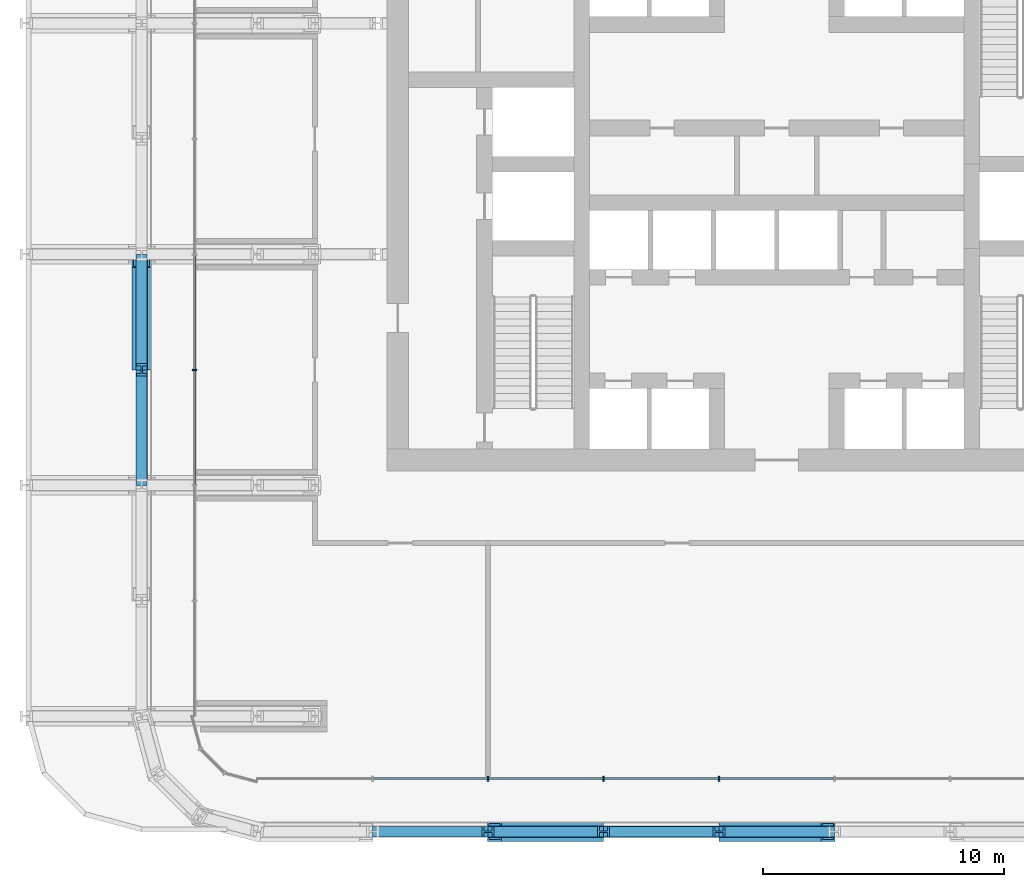
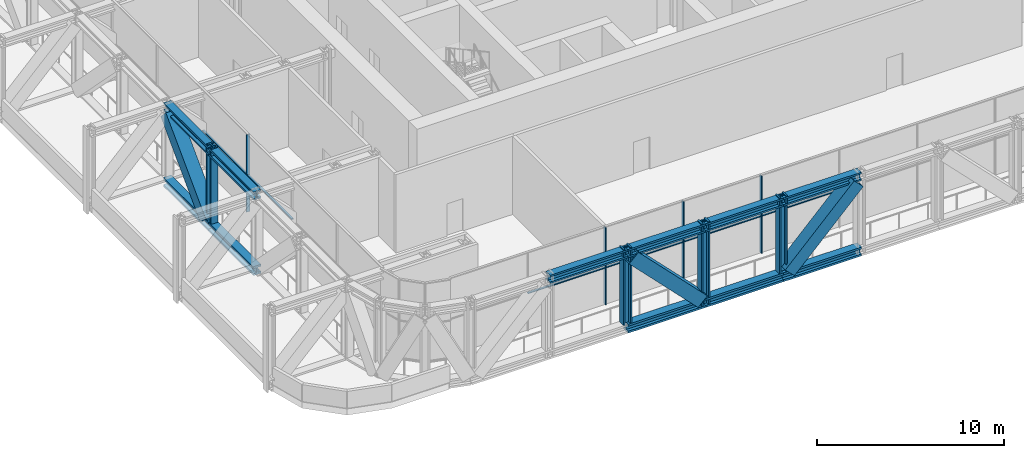
# One storey, part 2 of 30: 28 members, 2 elements without a shape of their own.
"""IFC4 building model written with IfcOpenShell, lengths in metres."""

from ifc_helpers import new_model, si_unit, direction, frame, origin, origin_2d, place, context, subcontext, project, spatial, rectangle, hollow_rectangle, i_section, extrude, material, layer, layer_set, material_profile, profile_set, type_object, element, aggregate, save


model = new_model("IFC4")

# Units and contexts
model_context = context("Model", 3, precision=1e-05, world=origin(), true_north=direction((0.0, 1.0)))
body_context = subcontext(model_context, "Body", "Model", "MODEL_VIEW")
ifc_project = project(units=[si_unit("LENGTHUNIT", "METRE"), si_unit("AREAUNIT", "SQUARE_METRE"), si_unit("VOLUMEUNIT", "CUBIC_METRE"), si_unit("PLANEANGLEUNIT", "RADIAN"), si_unit("MASSUNIT", "GRAM", prefix="KILO")], contexts=[model_context])

# Site, building, storey
site_placement = place(None, origin())
site = spatial("IfcSite", under=ifc_project, at=site_placement, CompositionType="ELEMENT")
building_placement = place(site_placement, origin())
building = spatial("IfcBuilding", under=site, at=building_placement, Name="Madar Terraces", CompositionType="ELEMENT")
storey_placement = place(building_placement, frame((0.0, 0.0, 53.89990234375)))
storey = spatial("IfcBuildingStorey", under=building, at=storey_placement, Name="L13", CompositionType="ELEMENT", Elevation=53.89990234375)

# Members
ifc_material_1 = material(Name="Steel ASTM A913 Grade 65", Category="steel")
ifc_material_profile_1 = material_profile(ifc_material_1, i_section(OverallWidth=0.472412109375, OverallDepth=0.5791015625, WebThickness=0.094970703125, FlangeThickness=0.130126953125, at=origin_2d()), Name="W14x808")
ifc_profile_set_1 = profile_set([ifc_material_profile_1], Name="Steel ASTM A913 Grade 65")
member_type_1 = type_object("IfcMemberType", Name="BC2 W14x808", PredefinedType="CHORD", material=ifc_profile_set_1)
for number, where, z_axis, x_axis, name in (
    (1, (19.199951171875, 0.0, -0.13037109375), (1.0, 0.0, 0.0), (0.0, 1.0, 0.0), "Exoskeleton truss ring bottom chord BC2"),
    (2, (24.0, 0.0, -0.13037109375), (1.0, 0.0, 0.0), (0.0, 1.0, 0.0), "Exoskeleton truss ring bottom chord BC2"),
    (3, (28.800048828125, 0.0, -0.13037109375), (1.0, 0.0, 0.0), (0.0, 1.0, 0.0), "Exoskeleton truss ring bottom chord BC2"),
    (4, (4.800048828125, 24.0, -0.13037109375), (0.0, -1.0, 0.0), (1.0, 0.0, 0.0), "Exoskeleton truss ring bottom chord BC2"),
    (5, (4.800048828125, 19.199951171875, -0.13037109375), (0.0, -1.0, 0.0), (1.0, 0.0, 0.0), "Exoskeleton truss ring bottom chord BC2"),
):
    element("IfcMember", number, at=place(storey_placement, frame(where, z_axis=z_axis, x_axis=x_axis)), inside=storey, type_object=member_type_1, Name=name, PredefinedType="CHORD", context=body_context, shape_type="SweptSolid", body=[
        extrude(i_section(OverallWidth=0.472412109375, OverallDepth=0.5791015625, WebThickness=0.094970703125, FlangeThickness=0.130126953125, at=origin_2d()), origin(), (0.0, 0.0, 1.0), 4.800048828125),
    ])

# Curtain wall, members
ifc_material_2 = material(Name="Glass, ceramic frit dark grey, with black aluminium frame", Category="aluminium")
ifc_layer = layer(ifc_material_2, 0.199951171875)
ifc_layer_set = layer_set([ifc_layer], Name="Facade curtain wall, tall glazing")
curtain_wall_type = type_object("IfcCurtainWallType", Name="Facade curtain wall, tall glazing", PredefinedType="NOTDEFINED", material=ifc_layer_set)
curtain_wall_1_placement = place(storey_placement, origin())
curtain_wall_1 = element("IfcCurtainWall", 6, at=curtain_wall_1_placement, inside=storey, type_object=curtain_wall_type, Name="Outer skin curtain wall south bay 1", PredefinedType="NOTDEFINED")
ifc_material_3 = material(Name="Aluminium, black anodised", Category="aluminium")
ifc_material_profile_2 = material_profile(ifc_material_3, rectangle(XDim=0.199951171875, YDim=0.06005859375, at=origin_2d()), Name="Facade mullion 60x200")
ifc_profile_set_2 = profile_set([ifc_material_profile_2], Name="Aluminium, black anodised")
member_type_2 = type_object("IfcMemberType", Name="Facade mullion 60x200", PredefinedType="MULLION", material=ifc_profile_set_2)
member_1_placement = place(storey_placement, frame((19.199951171875, 2.199951171875, 0.0), z_axis=(0.0, 0.0, 1.0), x_axis=(0.0, 1.0, 0.0)))
member_1 = element("IfcMember", 7, at=member_1_placement, type_object=member_type_2, Name="Mullion 2", PredefinedType="MULLION", context=body_context, shape_type="SweptSolid", body=[
    extrude(rectangle(XDim=0.199951171875, YDim=0.06005859375, at=origin_2d()), origin(), (0.0, 0.0, 1.0), 5.0400390625),
])
member_2_placement = place(storey_placement, frame((24.0, 2.199951171875, 0.0), z_axis=(0.0, 0.0, 1.0), x_axis=(0.0, 1.0, 0.0)))
member_2 = element("IfcMember", 8, at=member_2_placement, type_object=member_type_2, Name="Mullion 3", PredefinedType="MULLION", context=body_context, shape_type="SweptSolid", body=[
    extrude(rectangle(XDim=0.199951171875, YDim=0.06005859375, at=origin_2d()), origin(), (0.0, 0.0, 1.0), 5.0400390625),
])
member_3_placement = place(storey_placement, frame((28.800048828125, 2.199951171875, 0.0), z_axis=(0.0, 0.0, 1.0), x_axis=(0.0, 1.0, 0.0)))
member_3 = element("IfcMember", 9, at=member_3_placement, type_object=member_type_2, Name="Mullion 4", PredefinedType="MULLION", context=body_context, shape_type="SweptSolid", body=[
    extrude(rectangle(XDim=0.199951171875, YDim=0.06005859375, at=origin_2d()), origin(), (0.0, 0.0, 1.0), 5.0400390625),
])

# Curtain wall, member
curtain_wall_2_placement = place(storey_placement, origin())
curtain_wall_2 = element("IfcCurtainWall", 10, at=curtain_wall_2_placement, inside=storey, type_object=curtain_wall_type, Name="Outer skin curtain wall west bay 1", PredefinedType="NOTDEFINED")
member_4_placement = place(storey_placement, frame((7.0, 19.199951171875, 0.0), z_axis=(0.0, 0.0, 1.0), x_axis=(1.0, 0.0, 0.0)))
member_4 = element("IfcMember", 11, at=member_4_placement, type_object=member_type_2, Name="Mullion 5", PredefinedType="MULLION", context=body_context, shape_type="SweptSolid", body=[
    extrude(rectangle(XDim=0.199951171875, YDim=0.06005859375, at=origin_2d()), origin(), (0.0, 0.0, 1.0), 5.0400390625),
])

# Member
ifc_material_4 = material(Name="Aluminium, black anodised", Category="aluminium")
ifc_material_profile_3 = material_profile(ifc_material_4, rectangle(XDim=0.1201171875, YDim=0.06005859375, at=origin_2d()), Name="Facade transom 60x120")
ifc_profile_set_3 = profile_set([ifc_material_profile_3], Name="Aluminium, black anodised")
member_type_3 = type_object("IfcMemberType", Name="Facade transom 60x120", PredefinedType="USERDEFINED", material=ifc_profile_set_3)
member_5_placement = place(storey_placement, frame((14.429931640625, 2.199951171875, 2.400146484375), z_axis=(1.0, 0.0, 0.0), x_axis=(0.0, 1.0, 0.0)))
member_5 = element("IfcMember", 12, at=member_5_placement, type_object=member_type_3, Name="Transom 3", ObjectType="TRANSOM", PredefinedType="USERDEFINED", context=body_context, shape_type="SweptSolid", body=[
    extrude(rectangle(XDim=0.1201171875, YDim=0.06005859375, at=origin_2d()), origin(), (0.0, 0.0, 1.0), 4.739990234375),
])

member_6_placement = place(storey_placement, frame((19.22998046875, 2.199951171875, 2.400146484375), z_axis=(1.0, 0.0, 0.0), x_axis=(0.0, 1.0, 0.0)))
member_6 = element("IfcMember", 13, at=member_6_placement, type_object=member_type_3, Name="Transom 4", ObjectType="TRANSOM", PredefinedType="USERDEFINED", context=body_context, shape_type="SweptSolid", body=[
    extrude(rectangle(XDim=0.1201171875, YDim=0.06005859375, at=origin_2d()), origin(), (0.0, 0.0, 1.0), 4.739990234375),
])

member_7_placement = place(storey_placement, frame((24.030029296875, 2.199951171875, 2.400146484375), z_axis=(1.0, 0.0, 0.0), x_axis=(0.0, 1.0, 0.0)))
member_7 = element("IfcMember", 14, at=member_7_placement, type_object=member_type_3, Name="Transom 5", ObjectType="TRANSOM", PredefinedType="USERDEFINED", context=body_context, shape_type="SweptSolid", body=[
    extrude(rectangle(XDim=0.1201171875, YDim=0.06005859375, at=origin_2d()), origin(), (0.0, 0.0, 1.0), 4.739990234375),
])

member_8_placement = place(storey_placement, frame((28.830078125, 2.199951171875, 2.400146484375), z_axis=(1.0, 0.0, 0.0), x_axis=(0.0, 1.0, 0.0)))
member_8 = element("IfcMember", 15, at=member_8_placement, type_object=member_type_3, Name="Transom 6", ObjectType="TRANSOM", PredefinedType="USERDEFINED", context=body_context, shape_type="SweptSolid", body=[
    extrude(rectangle(XDim=0.1201171875, YDim=0.06005859375, at=origin_2d()), origin(), (0.0, 0.0, 1.0), 4.739990234375),
])

aggregate(curtain_wall_1, [member_1, member_2, member_3, member_5, member_6, member_7, member_8])

member_9_placement = place(storey_placement, frame((7.0, 23.969970703125, 2.400146484375), z_axis=(0.0, -1.0, 0.0), x_axis=(1.0, 0.0, 0.0)))
member_9 = element("IfcMember", 16, at=member_9_placement, type_object=member_type_3, Name="Transom 6", ObjectType="TRANSOM", PredefinedType="USERDEFINED", context=body_context, shape_type="SweptSolid", body=[
    extrude(rectangle(XDim=0.1201171875, YDim=0.06005859375, at=origin_2d()), origin(), (0.0, 0.0, 1.0), 4.739990234375),
])

member_10_placement = place(storey_placement, frame((7.0, 19.169921875, 2.400146484375), z_axis=(0.0, -1.0, 0.0), x_axis=(1.0, 0.0, 0.0)))
member_10 = element("IfcMember", 17, at=member_10_placement, type_object=member_type_3, Name="Transom 7", ObjectType="TRANSOM", PredefinedType="USERDEFINED", context=body_context, shape_type="SweptSolid", body=[
    extrude(rectangle(XDim=0.1201171875, YDim=0.06005859375, at=origin_2d()), origin(), (0.0, 0.0, 1.0), 4.739990234375),
])

aggregate(curtain_wall_2, [member_4, member_9, member_10])

# Members
ifc_material_5 = material(Name="Steel ASTM A913 Grade 65", Category="steel")
ifc_material_profile_4 = material_profile(ifc_material_5, i_section(OverallWidth=0.449462890625, OverallDepth=0.548583984375, WebThickness=0.07177734375, FlangeThickness=0.11474609375, at=origin_2d()), Name="W14x665")
ifc_profile_set_4 = profile_set([ifc_material_profile_4], Name="Steel ASTM A913 Grade 65")
member_type_4 = type_object("IfcMemberType", Name="TC2 W14x665", PredefinedType="CHORD", material=ifc_profile_set_4)
for number, where, z_axis, x_axis, name in (
    (18, (14.39990234375, 0.0, 4.755859375), (1.0, 0.0, 0.0), (0.0, 1.0, 0.0), "Exoskeleton truss ring top chord TC2"),
    (19, (19.199951171875, 0.0, 4.755859375), (1.0, 0.0, 0.0), (0.0, 1.0, 0.0), "Exoskeleton truss ring top chord TC2"),
    (20, (24.0, 0.0, 4.755859375), (1.0, 0.0, 0.0), (0.0, 1.0, 0.0), "Exoskeleton truss ring top chord TC2"),
    (21, (28.800048828125, 0.0, 4.755859375), (1.0, 0.0, 0.0), (0.0, 1.0, 0.0), "Exoskeleton truss ring top chord TC2"),
    (22, (4.800048828125, 24.0, 4.755859375), (0.0, -1.0, 0.0), (1.0, 0.0, 0.0), "Exoskeleton truss ring top chord TC2"),
    (23, (4.800048828125, 19.199951171875, 4.755859375), (0.0, -1.0, 0.0), (1.0, 0.0, 0.0), "Exoskeleton truss ring top chord TC2"),
):
    element("IfcMember", number, at=place(storey_placement, frame(where, z_axis=z_axis, x_axis=x_axis)), inside=storey, type_object=member_type_4, Name=name, PredefinedType="CHORD", context=body_context, shape_type="SweptSolid", body=[
        extrude(i_section(OverallWidth=0.449462890625, OverallDepth=0.548583984375, WebThickness=0.07177734375, FlangeThickness=0.11474609375, at=origin_2d()), origin(), (0.0, 0.0, 1.0), 4.800048828125),
    ])
ifc_material_6 = material(Name="Steel ASTM A572 Grade 50", Category="steel")
ifc_material_profile_5 = material_profile(ifc_material_6, hollow_rectangle(XDim=0.800048828125, YDim=0.800048828125, WallThickness=0.070068359375, at=origin_2d()), Name="BOX800x800x70")
ifc_profile_set_5 = profile_set([ifc_material_profile_5], Name="Steel ASTM A572 Grade 50")
member_type_5 = type_object("IfcMemberType", Name="TD2 BOX800x800x70", PredefinedType="BRACE", material=ifc_profile_set_5)
for number, where, z_axis, x_axis, name in (
    (24, (19.469482421875, 0.0, 4.4814453125), (0.700792979798, 0.0, -0.713364702986), (0.0, 1.0, 0.0), "Exoskeleton truss ring diagonal TD2"),
    (25, (29.08447265625, 0.0, 0.1591796875), (0.700792979798, 0.0, 0.713364702986), (0.0, 1.0, 0.0), "Exoskeleton truss ring diagonal TD2"),
    (26, (4.800048828125, 23.73046875, 4.4814453125), (0.0, -0.700792979798, -0.713364702986), (1.0, 0.0, 0.0), "Exoskeleton truss ring diagonal TD2"),
):
    element("IfcMember", number, at=place(storey_placement, frame(where, z_axis=z_axis, x_axis=x_axis)), inside=storey, type_object=member_type_5, Name=name, PredefinedType="BRACE", context=body_context, shape_type="SweptSolid", body=[
        extrude(hollow_rectangle(XDim=0.800048828125, YDim=0.800048828125, WallThickness=0.070068359375, at=origin_2d()), origin(), (0.0, 0.0, 1.0), 6.05908203125),
    ])
ifc_material_7 = material(Name="Steel ASTM A913 Grade 65", Category="steel")
ifc_material_profile_6 = material_profile(ifc_material_7, i_section(OverallWidth=0.436767578125, OverallDepth=0.51318359375, WebThickness=0.060546875, FlangeThickness=0.096923828125, at=origin_2d()), Name="W14x550")
ifc_profile_set_6 = profile_set([ifc_material_profile_6], Name="Steel ASTM A913 Grade 65")
member_type_6 = type_object("IfcMemberType", Name="TV2 W14x550", PredefinedType="POST", material=ifc_profile_set_6)
member_11_placement = place(storey_placement, frame((19.199951171875, 0.0, 0.1591796875), z_axis=(0.0, 0.0, 1.0), x_axis=(0.0, 1.0, 0.0)))
element("IfcMember", 27, at=member_11_placement, inside=storey, type_object=member_type_6, Name="Exoskeleton truss ring post TV2", PredefinedType="POST", context=body_context, shape_type="SweptSolid", body=[
    extrude(i_section(OverallWidth=0.436767578125, OverallDepth=0.51318359375, WebThickness=0.060546875, FlangeThickness=0.096923828125, at=origin_2d()), origin(), (0.0, 0.0, 1.0), 4.94091796875),
])
member_12_placement = place(storey_placement, frame((24.0, 0.0, -0.419921875), z_axis=(0.0, 0.0, 1.0), x_axis=(0.0, 1.0, 0.0)))
element("IfcMember", 28, at=member_12_placement, inside=storey, type_object=member_type_6, Name="Exoskeleton truss ring post TV2", PredefinedType="POST", context=body_context, shape_type="SweptSolid", body=[
    extrude(i_section(OverallWidth=0.436767578125, OverallDepth=0.51318359375, WebThickness=0.060546875, FlangeThickness=0.096923828125, at=origin_2d()), origin(), (0.0, 0.0, 1.0), 5.52001953125),
])
for number, where, z_axis, x_axis, name in (
    (29, (28.800048828125, 0.0, 0.1591796875), (0.0, 0.0, 1.0), (0.0, 1.0, 0.0), "Exoskeleton truss ring post TV2"),
    (30, (4.800048828125, 19.199951171875, 0.1591796875), (0.0, 0.0, 1.0), (1.0, 0.0, 0.0), "Exoskeleton truss ring post TV2"),
):
    element("IfcMember", number, at=place(storey_placement, frame(where, z_axis=z_axis, x_axis=x_axis)), inside=storey, type_object=member_type_6, Name=name, PredefinedType="POST", context=body_context, shape_type="SweptSolid", body=[
        extrude(i_section(OverallWidth=0.436767578125, OverallDepth=0.51318359375, WebThickness=0.060546875, FlangeThickness=0.096923828125, at=origin_2d()), origin(), (0.0, 0.0, 1.0), 4.94091796875),
    ])

save(model, "model.ifc")
